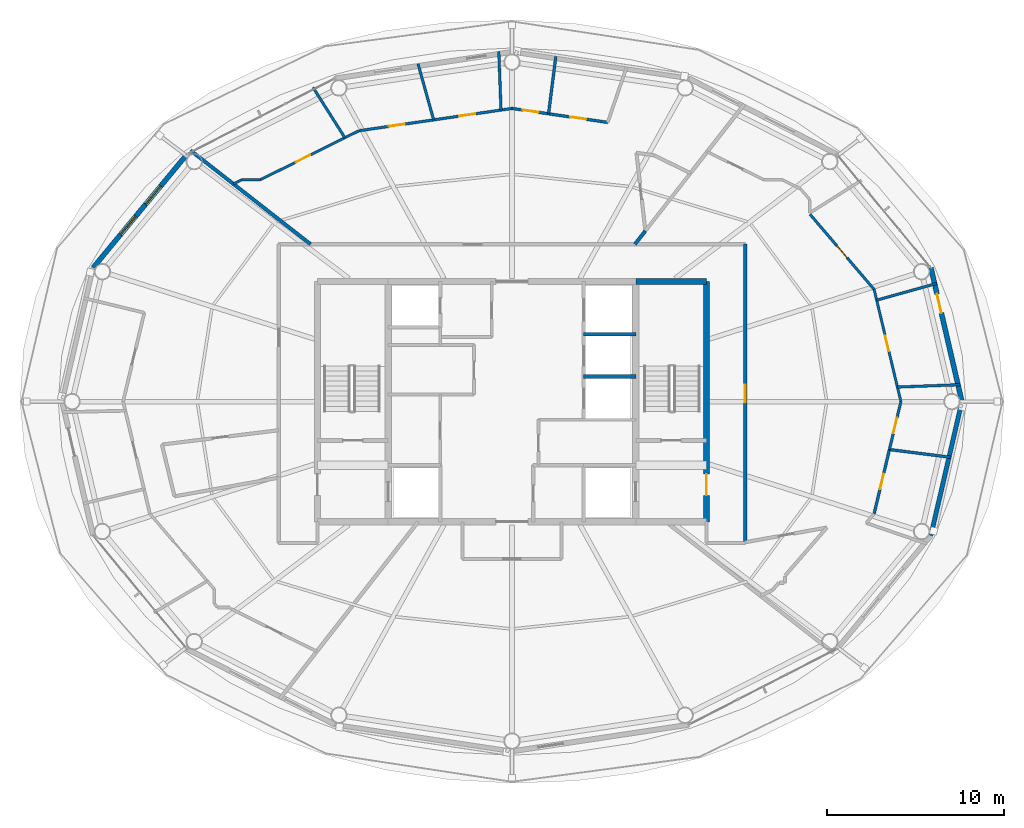
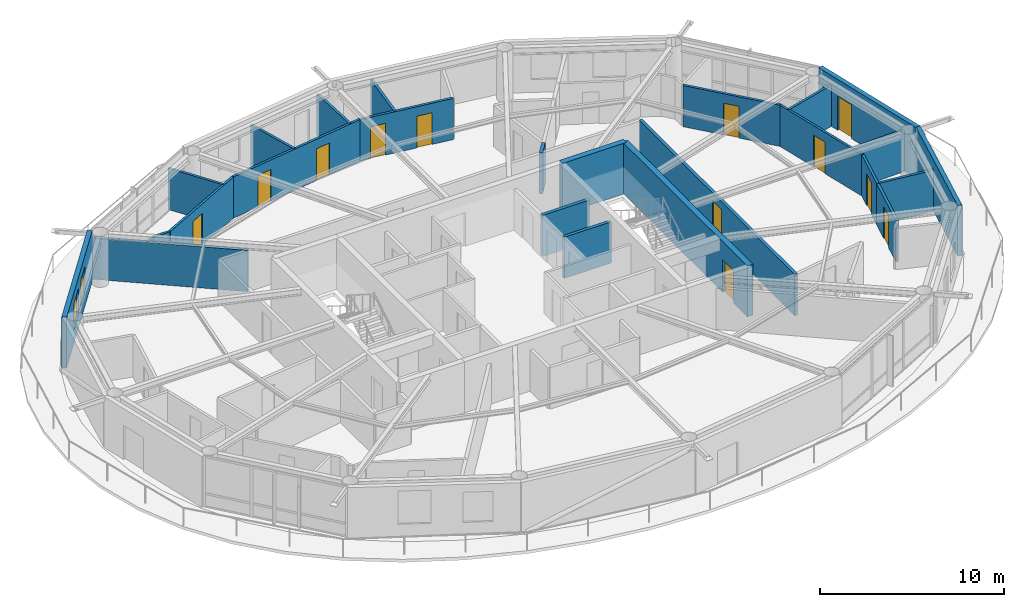
# One storey, part 18 of 22: 26 walls, 12 doors, 2 windows, 14 openings.
"""IFC4 building model written with IfcOpenShell, lengths in metres."""

from ifc_helpers import new_model, si_unit, direction, frame, frame_2d, origin, place, context, subcontext, project, spatial, rectangle, extrude, material, layer, layer_set, type_object, element, fill, save


model = new_model("IFC4")

# Units and contexts
model_context = context("Model", 3, precision=1e-05, world=origin(), true_north=direction((0.0, 1.0)))
body_context = subcontext(model_context, "Body", "Model", "MODEL_VIEW")
ifc_project = project(units=[si_unit("LENGTHUNIT", "METRE"), si_unit("AREAUNIT", "SQUARE_METRE"), si_unit("VOLUMEUNIT", "CUBIC_METRE"), si_unit("PLANEANGLEUNIT", "RADIAN"), si_unit("MASSUNIT", "GRAM", prefix="KILO")], contexts=[model_context])

# Site, building, storey
site_placement = place(None, origin())
site = spatial("IfcSite", under=ifc_project, at=site_placement, CompositionType="ELEMENT")
building_placement = place(site_placement, origin())
building = spatial("IfcBuilding", under=site, at=building_placement, Name="Sarneth Arch Tower", CompositionType="ELEMENT")
storey_placement = place(building_placement, frame((0.0, 0.0, 301.800048828125)))
storey = spatial("IfcBuildingStorey", under=building, at=storey_placement, Name="L78", CompositionType="ELEMENT", Elevation=301.800048828125)

# Wall
ifc_material_1 = material(Name="Concrete C50/60", Category="concrete")
ifc_layer_1 = layer(ifc_material_1, 0.35009765625)
ifc_layer_set_1 = layer_set([ifc_layer_1], Name="Concrete C50/60")
wall_type_1 = type_object("IfcWallType", Name="WALL-CORE-350", PredefinedType="SHEAR", material=ifc_layer_set_1)
wall_1_placement = place(storey_placement, frame((55.0, 48.800048828125, 0.0), z_axis=(0.0, 0.0, 1.0), x_axis=(1.0, 0.0, 0.0)))
element("IfcWall", 1, at=wall_1_placement, inside=storey, type_object=wall_type_1, Name="L78 Core shear wall N-E", PredefinedType="SHEAR", context=body_context, shape_type="SweptSolid", body=[
    extrude(rectangle(XDim=4.0, YDim=0.35009765625, at=frame_2d((2.0, 0.0))), origin(), (0.0, 0.0, 1.0), 3.369873046875),
])

# Wall, opening, door
wall_2_placement = place(storey_placement, frame((59.0, 35.199951171875, 0.0), z_axis=(0.0, 0.0, 1.0), x_axis=(0.0, 1.0, 0.0)))
wall_2 = element("IfcWall", 2, at=wall_2_placement, inside=storey, type_object=wall_type_1, Name="L78 Core shear wall E", PredefinedType="SHEAR", context=body_context, shape_type="SweptSolid", body=[
    extrude(rectangle(XDim=13.60009765625, YDim=0.35009765625, at=frame_2d((6.800048828125, 0.0))), origin(), (0.0, 0.0, 1.0), 3.369873046875),
])
opening_1_placement = place(wall_2_placement, frame((1.5, 0.0, 0.0)))
opening_1 = element("IfcOpeningElement", 3, at=opening_1_placement, cuts=wall_2, Name="Opening FD-02", PredefinedType="OPENING", context=body_context, shape_type="SweptSolid", body=[
    extrude(rectangle(XDim=1.199951171875, YDim=2.14990234375, at=frame_2d((0.60009765625, 1.074951171875))), frame((0.0, 0.18505859375, 0.0), z_axis=(0.0, -1.0, 0.0), x_axis=(1.0, 0.0, 0.0)), (0.0, 0.0, 1.0), 0.3701171875),
])
ifc_material_2 = material(Name="Galvanised Steel S275 fire door set", Category="steel")
door_type_1 = type_object("IfcDoorType", Name="DR-FD90-1200", OperationType="SINGLE_SWING_LEFT", PredefinedType="DOOR", material=ifc_material_2)
door_1_placement = place(opening_1_placement, origin())
door_1 = element("IfcDoor", 4, at=door_1_placement, inside=storey, type_object=door_type_1, Name="L78 Firefighting lobby 2 exit door", OperationType="SINGLE_SWING_RIGHT", OverallHeight=2.14990234375, OverallWidth=1.199951171875, PredefinedType="DOOR", context=body_context, shape_type="SweptSolid", body=[
    extrude(rectangle(XDim=1.199951171875, YDim=2.14990234375, at=frame_2d((0.60009765625, 1.074951171875))), frame((0.0, 0.02490234375, 0.0), z_axis=(0.0, -1.0, 0.0), x_axis=(1.0, 0.0, 0.0)), (0.0, 0.0, 1.0), 0.050048828125),
])
fill(opening_1, door_1)

ifc_material_3 = material(Name="Double steel-stud corridor fire wall", Category="steel")
ifc_layer_2 = layer(ifc_material_3, 0.18994140625)
ifc_layer_set_2 = layer_set([ifc_layer_2], Name="Double steel-stud corridor fire wall")
wall_type_2 = type_object("IfcWallType", Name="WALL-CORR-190", PredefinedType="PARTITIONING", material=ifc_layer_set_2)
wall_3_placement = place(storey_placement, frame((61.199951171875, 50.89990234375, 0.0), z_axis=(0.0, 0.0, 1.0), x_axis=(0.0, -1.0, 0.0)))
wall_3 = element("IfcWall", 5, at=wall_3_placement, inside=storey, type_object=wall_type_2, Name="L78 Interior partition W-L78-TP-009", PredefinedType="PARTITIONING", context=body_context, shape_type="SweptSolid", body=[
    extrude(rectangle(XDim=16.884765625, YDim=0.18994140625, at=frame_2d((8.4423828125, 0.0))), origin(), (0.0, 0.0, 1.0), 2.72998046875),
])
opening_2_placement = place(wall_3_placement, frame((7.9423828125, 0.0, 0.0)))
opening_2 = element("IfcOpeningElement", 6, at=opening_2_placement, cuts=wall_3, Name="Opening FD-08", PredefinedType="OPENING", context=body_context, shape_type="SweptSolid", body=[
    extrude(rectangle(XDim=1.0, YDim=2.199951171875, at=frame_2d((0.5, 1.10009765625))), frame((0.0, 0.10498046875, 0.0), z_axis=(0.0, -1.0, 0.0), x_axis=(1.0, 0.0, 0.0)), (0.0, 0.0, 1.0), 0.2099609375),
])
ifc_material_4 = material(Name="Hardwood timber acoustic fire door", Category="wood")
door_type_2 = type_object("IfcDoorType", Name="DR-FD60-1000", OperationType="SINGLE_SWING_LEFT", PredefinedType="DOOR", material=ifc_material_4)
door_2_placement = place(opening_2_placement, origin())
door_2 = element("IfcDoor", 7, at=door_2_placement, inside=storey, type_object=door_type_2, Name="L78 Interior door DR-L78-U4-ENT", OperationType="SINGLE_SWING_RIGHT", OverallHeight=2.199951171875, OverallWidth=1.0, PredefinedType="DOOR", context=body_context, shape_type="SweptSolid", body=[
    extrude(rectangle(XDim=1.0, YDim=2.199951171875, at=frame_2d((0.5, 1.10009765625))), frame((0.0, 0.02490234375, 0.0), z_axis=(0.0, -1.0, 0.0), x_axis=(1.0, 0.0, 0.0)), (0.0, 0.0, 1.0), 0.050048828125),
])
fill(opening_2, door_2)

# Wall
ifc_material_5 = material(Name="Extruded terracotta rainscreen on Concrete C40/50 backing", Category="masonry")
ifc_layer_3 = layer(ifc_material_5, 0.25)
ifc_layer_set_3 = layer_set([ifc_layer_3], Name="Extruded terracotta rainscreen on Concrete C40/50 backing")
wall_type_3 = type_object("IfcWallType", Name="WALL-EXT-SPAND-250", PredefinedType="SOLIDWALL", material=ifc_layer_set_3)
wall_4_placement = place(storey_placement, frame((71.69384765625, 34.430419921875, 0.0), z_axis=(0.0, 0.0, 1.0), x_axis=(0.225635078214, 0.974211892495, 0.0)))
element("IfcWall", 8, at=wall_4_placement, inside=storey, type_object=wall_type_3, Name="L78 Terracotta perimeter wall 16", PredefinedType="SOLIDWALL", context=body_context, shape_type="SweptSolid", body=[
    extrude(rectangle(XDim=7.77001953125, YDim=0.25, at=frame_2d((3.885009765625, 0.0))), origin(), (0.0, 0.0, 1.0), 3.369873046875),
])

# Wall, opening, door
ifc_material_6 = material(Name="Extruded terracotta rainscreen on Concrete C40/50 backing", Category="masonry")
ifc_layer_4 = layer(ifc_material_6, 0.280029296875)
ifc_layer_set_4 = layer_set([ifc_layer_4], Name="Extruded terracotta rainscreen on Concrete C40/50 backing")
wall_type_4 = type_object("IfcWallType", Name="WALL-EXT-TERRA-280", PredefinedType="SOLIDWALL", material=ifc_layer_set_4)
wall_5_placement = place(storey_placement, frame((73.447021484375, 42.0, 0.0), z_axis=(0.0, 0.0, 1.0), x_axis=(-0.225635078214, 0.974211892495, 0.0)))
wall_5 = element("IfcWall", 9, at=wall_5_placement, inside=storey, type_object=wall_type_4, Name="L78 Terracotta perimeter wall 01", PredefinedType="SOLIDWALL", context=body_context, shape_type="SweptSolid", body=[
    extrude(rectangle(XDim=7.77001953125, YDim=0.280029296875, at=frame_2d((3.885009765625, 0.0))), origin(), (0.0, 0.0, 1.0), 3.369873046875),
])
opening_3_placement = place(wall_5_placement, frame((5.14208984375, 0.0, 0.0)))
opening_3 = element("IfcOpeningElement", 10, at=opening_3_placement, cuts=wall_5, Name="Opening BD-3", PredefinedType="OPENING", context=body_context, shape_type="SweptSolid", body=[
    extrude(rectangle(XDim=1.10009765625, YDim=2.25, at=frame_2d((0.550048828125, 1.125))), frame((0.0, 0.14990234375, 0.0), z_axis=(0.0, -1.0, 0.0), x_axis=(1.0, 0.0, 0.0)), (0.0, 0.0, 1.0), 0.300048828125),
])
ifc_material_7 = material(Name="Thermally broken Aluminium 6063-T6 and laminated safety glass", Category="aluminium")
door_type_3 = type_object("IfcDoorType", Name="DR-BALC-GLZ-1100", OperationType="SINGLE_SWING_LEFT", PredefinedType="DOOR", material=ifc_material_7)
door_3_placement = place(opening_3_placement, origin())
door_3 = element("IfcDoor", 11, at=door_3_placement, inside=storey, type_object=door_type_3, Name="L78 Balcony glazed door 01", OperationType="SINGLE_SWING_LEFT", OverallHeight=2.25, OverallWidth=1.10009765625, PredefinedType="DOOR", context=body_context, shape_type="SweptSolid", body=[
    extrude(rectangle(XDim=1.10009765625, YDim=2.25, at=frame_2d((0.550048828125, 1.125))), frame((0.0, 0.02490234375, 0.0), z_axis=(0.0, -1.0, 0.0), x_axis=(1.0, 0.0, 0.0)), (0.0, 0.0, 1.0), 0.050048828125),
])
fill(opening_3, door_3)

# Wall, openings, windows
wall_6_placement = place(storey_placement, frame((29.617431640625, 55.986572265625, 0.0), z_axis=(0.0, 0.0, 1.0), x_axis=(-0.63761509934, -0.770355103243, 0.0)))
wall_6 = element("IfcWall", 12, at=wall_6_placement, inside=storey, type_object=wall_type_4, Name="L78 Terracotta perimeter wall 07", PredefinedType="SOLIDWALL", context=body_context, shape_type="SweptSolid", body=[
    extrude(rectangle(XDim=8.329833984375, YDim=0.280029296875, at=frame_2d((4.1650390625, 0.0))), origin(), (0.0, 0.0, 1.0), 3.369873046875),
])
opening_4_placement = place(wall_6_placement, frame((2.326416015625, 0.0, 0.85009765625)))
opening_4 = element("IfcOpeningElement", 13, at=opening_4_placement, cuts=wall_6, Name="Opening W-08", PredefinedType="OPENING", context=body_context, shape_type="SweptSolid", body=[
    extrude(rectangle(XDim=1.35009765625, YDim=1.800048828125, at=frame_2d((0.675048828125, 0.89990234375))), frame((0.0, 0.14990234375, 0.0), z_axis=(0.0, -1.0, 0.0), x_axis=(1.0, 0.0, 0.0)), (0.0, 0.0, 1.0), 0.300048828125),
])
opening_5_placement = place(wall_6_placement, frame((4.54638671875, 0.0, 0.85009765625)))
opening_5 = element("IfcOpeningElement", 14, at=opening_5_placement, cuts=wall_6, Name="Opening W-08", PredefinedType="OPENING", context=body_context, shape_type="SweptSolid", body=[
    extrude(rectangle(XDim=1.35009765625, YDim=1.800048828125, at=frame_2d((0.675048828125, 0.89990234375))), frame((0.0, 0.14990234375, 0.0), z_axis=(0.0, -1.0, 0.0), x_axis=(1.0, 0.0, 0.0)), (0.0, 0.0, 1.0), 0.300048828125),
])
ifc_material_8 = material(Name="Thermally broken Aluminium 6063-T6 and low-e laminated IGU", Category="aluminium")
window_type = type_object("IfcWindowType", Name="WIN-TWR-1350x1800", PartitioningType="SINGLE_PANEL", PredefinedType="WINDOW", material=ifc_material_8)
window_1_placement = place(opening_4_placement, origin())
window_1 = element("IfcWindow", 15, at=window_1_placement, inside=storey, type_object=window_type, Name="L78 Exterior window 07A", OverallHeight=1.800048828125, OverallWidth=1.35009765625, PartitioningType="SINGLE_PANEL", PredefinedType="WINDOW", context=body_context, shape_type="SweptSolid", body=[
    extrude(rectangle(XDim=1.35009765625, YDim=1.800048828125, at=frame_2d((0.675048828125, 0.89990234375))), frame((0.0, 0.030029296875, 0.0), z_axis=(0.0, -1.0, 0.0), x_axis=(1.0, 0.0, 0.0)), (0.0, 0.0, 1.0), 0.06005859375),
])
fill(opening_4, window_1)
window_2_placement = place(opening_5_placement, origin())
window_2 = element("IfcWindow", 16, at=window_2_placement, inside=storey, type_object=window_type, Name="L78 Exterior window 07B", OverallHeight=1.800048828125, OverallWidth=1.35009765625, PartitioningType="SINGLE_PANEL", PredefinedType="WINDOW", context=body_context, shape_type="SweptSolid", body=[
    extrude(rectangle(XDim=1.35009765625, YDim=1.800048828125, at=frame_2d((0.675048828125, 0.89990234375))), frame((0.0, 0.030029296875, 0.0), z_axis=(0.0, -1.0, 0.0), x_axis=(1.0, 0.0, 0.0)), (0.0, 0.0, 1.0), 0.06005859375),
])
fill(opening_5, window_2)

# Wall, opening, door
ifc_material_9 = material(Name="Apartment internal stud partition", Category="gypsum")
ifc_layer_5 = layer(ifc_material_9, 0.139892578125)
ifc_layer_set_5 = layer_set([ifc_layer_5], Name="Apartment internal stud partition")
wall_type_5 = type_object("IfcWallType", Name="WALL-PART-140", PredefinedType="PARTITIONING", material=ifc_layer_set_5)
wall_7_placement = place(storey_placement, frame((33.773193359375, 54.550048828125, 0.0), z_axis=(0.0, 0.0, 1.0), x_axis=(0.895593510097, 0.44487331306, 0.0)))
wall_7 = element("IfcWall", 17, at=wall_7_placement, inside=storey, type_object=wall_type_5, Name="L78 Interior partition W-L78-TP-027", PredefinedType="PARTITIONING", context=body_context, shape_type="SweptSolid", body=[
    extrude(rectangle(XDim=6.2216796875, YDim=0.139892578125, at=frame_2d((3.11083984375, 0.0))), origin(), (0.0, 0.0, 1.0), 2.72998046875),
])
opening_6_placement = place(wall_7_placement, frame((2.232421875, 0.0, 0.0)))
opening_6 = element("IfcOpeningElement", 18, at=opening_6_placement, cuts=wall_7, Name="Opening ID-01", PredefinedType="OPENING", context=body_context, shape_type="SweptSolid", body=[
    extrude(rectangle(XDim=0.89990234375, YDim=2.10009765625, at=frame_2d((0.449951171875, 1.050048828125))), frame((0.0, 0.079833984375, 0.0), z_axis=(0.0, -1.0, 0.0), x_axis=(1.0, 0.0, 0.0)), (0.0, 0.0, 1.0), 0.159912109375),
])
ifc_material_10 = material(Name="Engineered hardwood flush door", Category="wood")
door_type_4 = type_object("IfcDoorType", Name="DR-INT-900", OperationType="SINGLE_SWING_LEFT", PredefinedType="DOOR", material=ifc_material_10)
door_4_placement = place(opening_6_placement, origin())
door_4 = element("IfcDoor", 19, at=door_4_placement, inside=storey, type_object=door_type_4, Name="L78 Interior door DR-L78-U1-BED3", OperationType="SINGLE_SWING_LEFT", OverallHeight=2.10009765625, OverallWidth=0.89990234375, PredefinedType="DOOR", context=body_context, shape_type="SweptSolid", body=[
    extrude(rectangle(XDim=0.89990234375, YDim=2.10009765625, at=frame_2d((0.449951171875, 1.050048828125))), frame((0.0, 0.02490234375, 0.0), z_axis=(0.0, -1.0, 0.0), x_axis=(1.0, 0.0, 0.0)), (0.0, 0.0, 1.0), 0.050048828125),
])
fill(opening_6, door_4)

wall_8_placement = place(storey_placement, frame((68.48095703125, 48.344970703125, 0.0), z_axis=(0.0, 0.0, 1.0), x_axis=(0.232298462197, -0.972644551962, 0.0)))
wall_8 = element("IfcWall", 20, at=wall_8_placement, inside=storey, type_object=wall_type_5, Name="L78 Interior partition W-L78-TP-070", PredefinedType="PARTITIONING", context=body_context, shape_type="SweptSolid", body=[
    extrude(rectangle(XDim=6.5234375, YDim=0.139892578125, at=frame_2d((3.26171875, 0.0))), origin(), (0.0, 0.0, 1.0), 2.72998046875),
])
opening_7_placement = place(wall_8_placement, frame((2.701904296875, 0.0, 0.0)))
opening_7 = element("IfcOpeningElement", 21, at=opening_7_placement, cuts=wall_8, Name="Opening ID-01", PredefinedType="OPENING", context=body_context, shape_type="SweptSolid", body=[
    extrude(rectangle(XDim=0.89990234375, YDim=2.10009765625, at=frame_2d((0.449951171875, 1.050048828125))), frame((0.0, 0.079833984375, 0.0), z_axis=(0.0, -1.0, 0.0), x_axis=(1.0, 0.0, 0.0)), (0.0, 0.0, 1.0), 0.159912109375),
])
door_5_placement = place(opening_7_placement, origin())
door_5 = element("IfcDoor", 22, at=door_5_placement, inside=storey, type_object=door_type_4, Name="L78 Interior door DR-L78-U4-BED1", OperationType="SINGLE_SWING_RIGHT", OverallHeight=2.10009765625, OverallWidth=0.89990234375, PredefinedType="DOOR", context=body_context, shape_type="SweptSolid", body=[
    extrude(rectangle(XDim=0.89990234375, YDim=2.10009765625, at=frame_2d((0.449951171875, 1.050048828125))), frame((0.0, 0.02490234375, 0.0), z_axis=(0.0, -1.0, 0.0), x_axis=(1.0, 0.0, 0.0)), (0.0, 0.0, 1.0), 0.050048828125),
])
fill(opening_7, door_5)

# Walls
wall_9_placement = place(storey_placement, frame((32.710693359375, 54.550048828125, 0.0), z_axis=(0.0, 0.0, 1.0), x_axis=(1.0, 0.0, 0.0)))
element("IfcWall", 23, at=wall_9_placement, inside=storey, type_object=wall_type_5, Name="L78 Interior partition W-L78-TP-026", PredefinedType="PARTITIONING", context=body_context, shape_type="SweptSolid", body=[
    extrude(rectangle(XDim=1.0625, YDim=0.139892578125, at=frame_2d((0.53125, 0.0))), origin(), (0.0, 0.0, 1.0), 2.72998046875),
])
wall_10_placement = place(storey_placement, frame((32.23779296875, 54.314697265625, 0.0), z_axis=(0.0, 0.0, 1.0), x_axis=(0.895257581236, 0.445548945953, 0.0)))
element("IfcWall", 24, at=wall_10_placement, inside=storey, type_object=wall_type_5, Name="L78 Interior partition W-L78-TP-025", PredefinedType="PARTITIONING", context=body_context, shape_type="SweptSolid", body=[
    extrude(rectangle(XDim=0.5283203125, YDim=0.139892578125, at=frame_2d((0.26416015625, 0.0))), origin(), (0.0, 0.0, 1.0), 2.72998046875),
])

# Wall, opening, door
ifc_material_11 = material(Name="Acoustic gypsum stud partition", Category="gypsum")
ifc_layer_6 = layer(ifc_material_11, 0.14990234375)
ifc_layer_set_6 = layer_set([ifc_layer_6], Name="Acoustic gypsum stud partition")
wall_type_6 = type_object("IfcWallType", Name="WALL-PART-150", PredefinedType="PARTITIONING", material=ifc_layer_set_6)
wall_11_placement = place(storey_placement, frame((68.48095703125, 48.344970703125, 0.0), z_axis=(0.0, 0.0, 1.0), x_axis=(-0.649208179997, 0.760610767097, 0.0)))
wall_11 = element("IfcWall", 25, at=wall_11_placement, inside=storey, type_object=wall_type_6, Name="L78 Interior partition W-L78-TP-072", PredefinedType="PARTITIONING", context=body_context, shape_type="SweptSolid", body=[
    extrude(rectangle(XDim=5.5927734375, YDim=0.14990234375, at=frame_2d((2.79638671875, 0.0))), origin(), (0.0, 0.0, 1.0), 2.72998046875),
])
opening_8_placement = place(wall_11_placement, frame((2.346435546875, 0.0, 0.0)))
opening_8 = element("IfcOpeningElement", 26, at=opening_8_placement, cuts=wall_11, Name="Opening ID-01", PredefinedType="OPENING", context=body_context, shape_type="SweptSolid", body=[
    extrude(rectangle(XDim=0.89990234375, YDim=2.10009765625, at=frame_2d((0.449951171875, 1.050048828125))), frame((0.0, 0.0849609375, 0.0), z_axis=(0.0, -1.0, 0.0), x_axis=(1.0, 0.0, 0.0)), (0.0, 0.0, 1.0), 0.169921875),
])
door_6_placement = place(opening_8_placement, origin())
door_6 = element("IfcDoor", 27, at=door_6_placement, inside=storey, type_object=door_type_4, Name="L78 Interior door DR-L78-U4-BED2", OperationType="SINGLE_SWING_LEFT", OverallHeight=2.10009765625, OverallWidth=0.89990234375, PredefinedType="DOOR", context=body_context, shape_type="SweptSolid", body=[
    extrude(rectangle(XDim=0.89990234375, YDim=2.10009765625, at=frame_2d((0.449951171875, 1.050048828125))), frame((0.0, 0.02490234375, 0.0), z_axis=(0.0, -1.0, 0.0), x_axis=(1.0, 0.0, 0.0)), (0.0, 0.0, 1.0), 0.050048828125),
])
fill(opening_8, door_6)

# Wall, openings, doors
wall_12_placement = place(storey_placement, frame((39.34521484375, 57.31787109375, 0.0), z_axis=(0.0, 0.0, 1.0), x_axis=(0.989532150642, 0.144312587273, 0.0)))
wall_12 = element("IfcWall", 28, at=wall_12_placement, inside=storey, type_object=wall_type_6, Name="L78 Interior partition W-L78-TP-024", PredefinedType="PARTITIONING", context=body_context, shape_type="SweptSolid", body=[
    extrude(rectangle(XDim=8.746337890625, YDim=0.14990234375, at=frame_2d((4.373046875, 0.0))), origin(), (0.0, 0.0, 1.0), 2.72998046875),
])
opening_9_placement = place(wall_12_placement, frame((1.699951171875, 0.0, 0.0)))
opening_9 = element("IfcOpeningElement", 29, at=opening_9_placement, cuts=wall_12, Name="Opening ID-01", PredefinedType="OPENING", context=body_context, shape_type="SweptSolid", body=[
    extrude(rectangle(XDim=0.89990234375, YDim=2.10009765625, at=frame_2d((0.449951171875, 1.050048828125))), frame((0.0, 0.0849609375, 0.0), z_axis=(0.0, -1.0, 0.0), x_axis=(1.0, 0.0, 0.0)), (0.0, 0.0, 1.0), 0.169921875),
])
opening_10_placement = place(wall_12_placement, frame((5.742919921875, 0.0, 0.0)))
opening_10 = element("IfcOpeningElement", 30, at=opening_10_placement, cuts=wall_12, Name="Opening ID-01", PredefinedType="OPENING", context=body_context, shape_type="SweptSolid", body=[
    extrude(rectangle(XDim=0.89990234375, YDim=2.10009765625, at=frame_2d((0.449951171875, 1.050048828125))), frame((0.0, 0.0849609375, 0.0), z_axis=(0.0, -1.0, 0.0), x_axis=(1.0, 0.0, 0.0)), (0.0, 0.0, 1.0), 0.169921875),
])
door_7_placement = place(opening_9_placement, origin())
door_7 = element("IfcDoor", 31, at=door_7_placement, inside=storey, type_object=door_type_4, Name="L78 Interior door DR-L78-U1-BED2", OperationType="SINGLE_SWING_LEFT", OverallHeight=2.10009765625, OverallWidth=0.89990234375, PredefinedType="DOOR", context=body_context, shape_type="SweptSolid", body=[
    extrude(rectangle(XDim=0.89990234375, YDim=2.10009765625, at=frame_2d((0.449951171875, 1.050048828125))), frame((0.0, 0.02490234375, 0.0), z_axis=(0.0, -1.0, 0.0), x_axis=(1.0, 0.0, 0.0)), (0.0, 0.0, 1.0), 0.050048828125),
])
fill(opening_9, door_7)
door_8_placement = place(opening_10_placement, origin())
door_8 = element("IfcDoor", 32, at=door_8_placement, inside=storey, type_object=door_type_4, Name="L78 Interior door DR-L78-U1-BED1", OperationType="SINGLE_SWING_RIGHT", OverallHeight=2.10009765625, OverallWidth=0.89990234375, PredefinedType="DOOR", context=body_context, shape_type="SweptSolid", body=[
    extrude(rectangle(XDim=0.89990234375, YDim=2.10009765625, at=frame_2d((0.449951171875, 1.050048828125))), frame((0.0, 0.02490234375, 0.0), z_axis=(0.0, -1.0, 0.0), x_axis=(1.0, 0.0, 0.0)), (0.0, 0.0, 1.0), 0.050048828125),
])
fill(opening_10, door_8)

# Walls
wall_13_placement = place(storey_placement, frame((69.800048828125, 42.821533203125, 0.0), z_axis=(0.0, 0.0, 1.0), x_axis=(0.999291840202, 0.037627358477, 0.0)))
element("IfcWall", 33, at=wall_13_placement, inside=storey, type_object=wall_type_6, Name="L78 Interior partition W-L78-TP-079", PredefinedType="PARTITIONING", context=body_context, shape_type="SweptSolid", body=[
    extrude(rectangle(XDim=3.549072265625, YDim=0.14990234375, at=frame_2d((1.7744140625, 0.0))), origin(), (0.0, 0.0, 1.0), 2.72998046875),
])
wall_14_placement = place(storey_placement, frame((72.0224609375, 48.681884765625, 0.0), z_axis=(0.0, 0.0, 1.0), x_axis=(-0.963436508671, -0.267936734621, 0.0)))
element("IfcWall", 34, at=wall_14_placement, inside=storey, type_object=wall_type_6, Name="L78 Interior partition W-L78-TP-080", PredefinedType="PARTITIONING", context=body_context, shape_type="SweptSolid", body=[
    extrude(rectangle(XDim=3.525390625, YDim=0.14990234375, at=frame_2d((1.7626953125, 0.0))), origin(), (0.0, 0.0, 1.0), 2.72998046875),
])
wall_15_placement = place(storey_placement, frame((38.548828125, 56.92236328125, 0.0), z_axis=(0.0, 0.0, 1.0), x_axis=(-0.535019359821, 0.844839798197, 0.0)))
element("IfcWall", 35, at=wall_15_placement, inside=storey, type_object=wall_type_6, Name="L78 Interior partition W-L78-TP-036", PredefinedType="PARTITIONING", context=body_context, shape_type="SweptSolid", body=[
    extrude(rectangle(XDim=3.37255859375, YDim=0.14990234375, at=frame_2d((1.686279296875, 0.0))), origin(), (0.0, 0.0, 1.0), 2.72998046875),
])
wall_16_placement = place(storey_placement, frame((47.378662109375, 58.489501953125, 0.0), z_axis=(0.0, 0.0, 1.0), x_axis=(-0.037643519601, 0.99929123154, 0.0)))
element("IfcWall", 36, at=wall_16_placement, inside=storey, type_object=wall_type_6, Name="L78 Interior partition W-L78-TP-033", PredefinedType="PARTITIONING", context=body_context, shape_type="SweptSolid", body=[
    extrude(rectangle(XDim=3.30126953125, YDim=0.14990234375, at=frame_2d((1.650634765625, 0.0))), origin(), (0.0, 0.0, 1.0), 2.72998046875),
])
wall_17_placement = place(storey_placement, frame((43.56787109375, 57.93359375, 0.0), z_axis=(0.0, 0.0, 1.0), x_axis=(-0.267957857452, 0.963430634052, 0.0)))
element("IfcWall", 37, at=wall_17_placement, inside=storey, type_object=wall_type_6, Name="L78 Interior partition W-L78-TP-035", PredefinedType="PARTITIONING", context=body_context, shape_type="SweptSolid", body=[
    extrude(rectangle(XDim=3.288330078125, YDim=0.14990234375, at=frame_2d((1.64404296875, 0.0))), origin(), (0.0, 0.0, 1.0), 2.72998046875),
])

# Wall, opening, door
wall_18_placement = place(storey_placement, frame((69.348388671875, 39.28759765625, 0.0), z_axis=(0.0, 0.0, 1.0), x_axis=(0.232346378521, 0.972633106772, 0.0)))
wall_18 = element("IfcWall", 38, at=wall_18_placement, inside=storey, type_object=wall_type_6, Name="L78 Interior partition W-L78-TP-059", PredefinedType="PARTITIONING", context=body_context, shape_type="SweptSolid", body=[
    extrude(rectangle(XDim=2.788818359375, YDim=0.14990234375, at=frame_2d((1.39453125, 0.0))), origin(), (0.0, 0.0, 1.0), 2.72998046875),
])
opening_11_placement = place(wall_18_placement, frame((0.9443359375, 0.0, 0.0)))
opening_11 = element("IfcOpeningElement", 39, at=opening_11_placement, cuts=wall_18, Name="Opening ID-01", PredefinedType="OPENING", context=body_context, shape_type="SweptSolid", body=[
    extrude(rectangle(XDim=0.89990234375, YDim=2.10009765625, at=frame_2d((0.449951171875, 1.050048828125))), frame((0.0, 0.0849609375, 0.0), z_axis=(0.0, -1.0, 0.0), x_axis=(1.0, 0.0, 0.0)), (0.0, 0.0, 1.0), 0.169921875),
])
door_9_placement = place(opening_11_placement, origin())
door_9 = element("IfcDoor", 40, at=door_9_placement, inside=storey, type_object=door_type_4, Name="L78 Interior door DR-L78-U4-STD", OperationType="SINGLE_SWING_LEFT", OverallHeight=2.10009765625, OverallWidth=0.89990234375, PredefinedType="DOOR", context=body_context, shape_type="SweptSolid", body=[
    extrude(rectangle(XDim=0.89990234375, YDim=2.10009765625, at=frame_2d((0.449951171875, 1.050048828125))), frame((0.0, 0.02490234375, 0.0), z_axis=(0.0, -1.0, 0.0), x_axis=(1.0, 0.0, 0.0)), (0.0, 0.0, 1.0), 0.050048828125),
])
fill(opening_11, door_9)

ifc_material_12 = material(Name="Kitchen wet service chase wall", Category="gypsum")
ifc_layer_7 = layer(ifc_material_12, 0.159912109375)
ifc_layer_set_7 = layer_set([ifc_layer_7], Name="Kitchen wet service chase wall")
wall_type_7 = type_object("IfcWallType", Name="WALL-PLUMB-160", PredefinedType="PLUMBINGWALL", material=ifc_layer_set_7)
wall_19_placement = place(storey_placement, frame((68.48095703125, 35.655029296875, 0.0), z_axis=(0.0, 0.0, 1.0), x_axis=(0.232262682455, 0.972653096607, 0.0)))
wall_19 = element("IfcWall", 41, at=wall_19_placement, inside=storey, type_object=wall_type_7, Name="L78 Interior partition W-L78-TP-063", PredefinedType="PLUMBINGWALL", context=body_context, shape_type="SweptSolid", body=[
    extrude(rectangle(XDim=3.734619140625, YDim=0.159912109375, at=frame_2d((1.8671875, 0.0))), origin(), (0.0, 0.0, 1.0), 2.72998046875),
])
opening_12_placement = place(wall_19_placement, frame((1.41748046875, 0.0, 0.0)))
opening_12 = element("IfcOpeningElement", 42, at=opening_12_placement, cuts=wall_19, Name="Opening ID-01", PredefinedType="OPENING", context=body_context, shape_type="SweptSolid", body=[
    extrude(rectangle(XDim=0.89990234375, YDim=2.10009765625, at=frame_2d((0.449951171875, 1.050048828125))), frame((0.0, 0.08984375, 0.0), z_axis=(0.0, -1.0, 0.0), x_axis=(1.0, 0.0, 0.0)), (0.0, 0.0, 1.0), 0.179931640625),
])
door_10_placement = place(opening_12_placement, origin())
door_10 = element("IfcDoor", 43, at=door_10_placement, inside=storey, type_object=door_type_4, Name="L78 Interior door DR-L78-U4-KIT", OperationType="SINGLE_SWING_LEFT", OverallHeight=2.10009765625, OverallWidth=0.89990234375, PredefinedType="DOOR", context=body_context, shape_type="SweptSolid", body=[
    extrude(rectangle(XDim=0.89990234375, YDim=2.10009765625, at=frame_2d((0.449951171875, 1.050048828125))), frame((0.0, 0.02490234375, 0.0), z_axis=(0.0, -1.0, 0.0), x_axis=(1.0, 0.0, 0.0)), (0.0, 0.0, 1.0), 0.050048828125),
])
fill(opening_12, door_10)

# Wall
wall_20_placement = place(storey_placement, frame((72.838623046875, 38.84423828125, 0.0), z_axis=(0.0, 0.0, 1.0), x_axis=(-0.992028222336, 0.126015896178, 0.0)))
element("IfcWall", 44, at=wall_20_placement, inside=storey, type_object=wall_type_7, Name="L78 Interior partition W-L78-TP-078", PredefinedType="PLUMBINGWALL", context=body_context, shape_type="SweptSolid", body=[
    extrude(rectangle(XDim=3.518310546875, YDim=0.159912109375, at=frame_2d((1.75927734375, 0.0))), origin(), (0.0, 0.0, 1.0), 2.72998046875),
])

# Wall, openings, doors
wall_21_placement = place(storey_placement, frame((53.411865234375, 57.790771484375, 0.0), z_axis=(0.0, 0.0, 1.0), x_axis=(-0.989530988967, 0.144320552503, 0.0)))
wall_21 = element("IfcWall", 45, at=wall_21_placement, inside=storey, type_object=wall_type_7, Name="L78 Interior partition W-L78-TP-018", PredefinedType="PLUMBINGWALL", context=body_context, shape_type="SweptSolid", body=[
    extrude(rectangle(XDim=5.46923828125, YDim=0.159912109375, at=frame_2d((2.734619140625, 0.0))), origin(), (0.0, 0.0, 1.0), 2.72998046875),
])
opening_13_placement = place(wall_21_placement, frame((1.239501953125, 0.0, 0.0)))
opening_13 = element("IfcOpeningElement", 46, at=opening_13_placement, cuts=wall_21, Name="Opening ID-01", PredefinedType="OPENING", context=body_context, shape_type="SweptSolid", body=[
    extrude(rectangle(XDim=0.89990234375, YDim=2.10009765625, at=frame_2d((0.449951171875, 1.050048828125))), frame((0.0, 0.08984375, 0.0), z_axis=(0.0, -1.0, 0.0), x_axis=(1.0, 0.0, 0.0)), (0.0, 0.0, 1.0), 0.179931640625),
])
opening_14_placement = place(wall_21_placement, frame((3.9580078125, 0.0, 0.0)))
opening_14 = element("IfcOpeningElement", 47, at=opening_14_placement, cuts=wall_21, Name="Opening ID-01", PredefinedType="OPENING", context=body_context, shape_type="SweptSolid", body=[
    extrude(rectangle(XDim=0.89990234375, YDim=2.10009765625, at=frame_2d((0.449951171875, 1.050048828125))), frame((0.0, 0.08984375, 0.0), z_axis=(0.0, -1.0, 0.0), x_axis=(1.0, 0.0, 0.0)), (0.0, 0.0, 1.0), 0.179931640625),
])
door_11_placement = place(opening_13_placement, origin())
door_11 = element("IfcDoor", 48, at=door_11_placement, inside=storey, type_object=door_type_4, Name="L78 Interior door DR-L78-U1-KIT", OperationType="SINGLE_SWING_LEFT", OverallHeight=2.10009765625, OverallWidth=0.89990234375, PredefinedType="DOOR", context=body_context, shape_type="SweptSolid", body=[
    extrude(rectangle(XDim=0.89990234375, YDim=2.10009765625, at=frame_2d((0.449951171875, 1.050048828125))), frame((0.0, 0.02490234375, 0.0), z_axis=(0.0, -1.0, 0.0), x_axis=(1.0, 0.0, 0.0)), (0.0, 0.0, 1.0), 0.050048828125),
])
fill(opening_13, door_11)
door_12_placement = place(opening_14_placement, origin())
door_12 = element("IfcDoor", 49, at=door_12_placement, inside=storey, type_object=door_type_4, Name="L78 Interior door DR-L78-U1-STD", OperationType="SINGLE_SWING_LEFT", OverallHeight=2.10009765625, OverallWidth=0.89990234375, PredefinedType="DOOR", context=body_context, shape_type="SweptSolid", body=[
    extrude(rectangle(XDim=0.89990234375, YDim=2.10009765625, at=frame_2d((0.449951171875, 1.050048828125))), frame((0.0, 0.02490234375, 0.0), z_axis=(0.0, -1.0, 0.0), x_axis=(1.0, 0.0, 0.0)), (0.0, 0.0, 1.0), 0.050048828125),
])
fill(opening_14, door_12)

# Walls
wall_22_placement = place(storey_placement, frame((50.48095703125, 61.5283203125, 0.0), z_axis=(0.0, 0.0, 1.0), x_axis=(-0.1260156089, -0.992028258828, 0.0)))
element("IfcWall", 50, at=wall_22_placement, inside=storey, type_object=wall_type_7, Name="L78 Interior partition W-L78-TP-032", PredefinedType="PLUMBINGWALL", context=body_context, shape_type="SweptSolid", body=[
    extrude(rectangle(XDim=3.276123046875, YDim=0.159912109375, at=frame_2d((1.63818359375, 0.0))), origin(), (0.0, 0.0, 1.0), 2.72998046875),
])
ifc_material_13 = material(Name="Aerated concrete blockwork C25/30", Category="masonry")
ifc_layer_8 = layer(ifc_material_13, 0.199951171875)
ifc_layer_set_8 = layer_set([ifc_layer_8], Name="Aerated concrete blockwork C25/30")
wall_type_8 = type_object("IfcWallType", Name="WALL-SHAFT-200", PredefinedType="SOLIDWALL", material=ifc_layer_set_8)
for number, where, z_axis, x_axis, name in (
    (51, (52.050048828125, 43.419921875, 0.0), (0.0, 0.0, 1.0), (1.0, 0.0, 0.0), "L78 Interior partition W-L78-EB-DIV-4342"),
    (52, (52.050048828125, 45.800048828125, 0.0), (0.0, 0.0, 1.0), (1.0, 0.0, 0.0), "L78 Interior partition W-L78-EB-DIV-4580"),
):
    element("IfcWall", number, at=place(storey_placement, frame(where, z_axis=z_axis, x_axis=x_axis)), inside=storey, type_object=wall_type_8, Name=name, PredefinedType="SOLIDWALL", context=body_context, shape_type="SweptSolid", body=[
        extrude(rectangle(XDim=2.949951171875, YDim=0.199951171875, at=frame_2d((1.47509765625, 0.0))), origin(), (0.0, 0.0, 1.0), 2.72998046875),
    ])
ifc_material_14 = material(Name="Double steel-stud acoustic drywall", Category="steel")
ifc_layer_9 = layer(ifc_material_14, 0.199951171875)
ifc_layer_set_9 = layer_set([ifc_layer_9], Name="Double steel-stud acoustic drywall")
wall_type_9 = type_object("IfcWallType", Name="WALL-UNIT-200", PredefinedType="PARTITIONING", material=ifc_layer_set_9)
wall_23_placement = place(storey_placement, frame((36.6083984375, 50.89990234375, 0.0), z_axis=(0.0, 0.0, 1.0), x_axis=(-0.78801493083, 0.615656128686, 0.0)))
element("IfcWall", 53, at=wall_23_placement, inside=storey, type_object=wall_type_9, Name="L78 Interior partition W-L78-TP-028", PredefinedType="PARTITIONING", context=body_context, shape_type="SweptSolid", body=[
    extrude(rectangle(XDim=8.62353515625, YDim=0.199951171875, at=frame_2d((4.311767578125, 0.0))), origin(), (0.0, 0.0, 1.0), 2.72998046875),
])
wall_24_placement = place(storey_placement, frame((55.54443359375, 51.65625, 0.0), z_axis=(0.0, 0.0, 1.0), x_axis=(-0.615752619539, -0.787939535453, 0.0)))
element("IfcWall", 54, at=wall_24_placement, inside=storey, type_object=wall_type_9, Name="L78 Interior partition W-L78-TP-029", PredefinedType="PARTITIONING", context=body_context, shape_type="SweptSolid", body=[
    extrude(rectangle(XDim=0.9599609375, YDim=0.199951171875, at=frame_2d((0.47998046875, 0.0))), origin(), (0.0, 0.0, 1.0), 2.72998046875),
])

save(model, "model.ifc")
